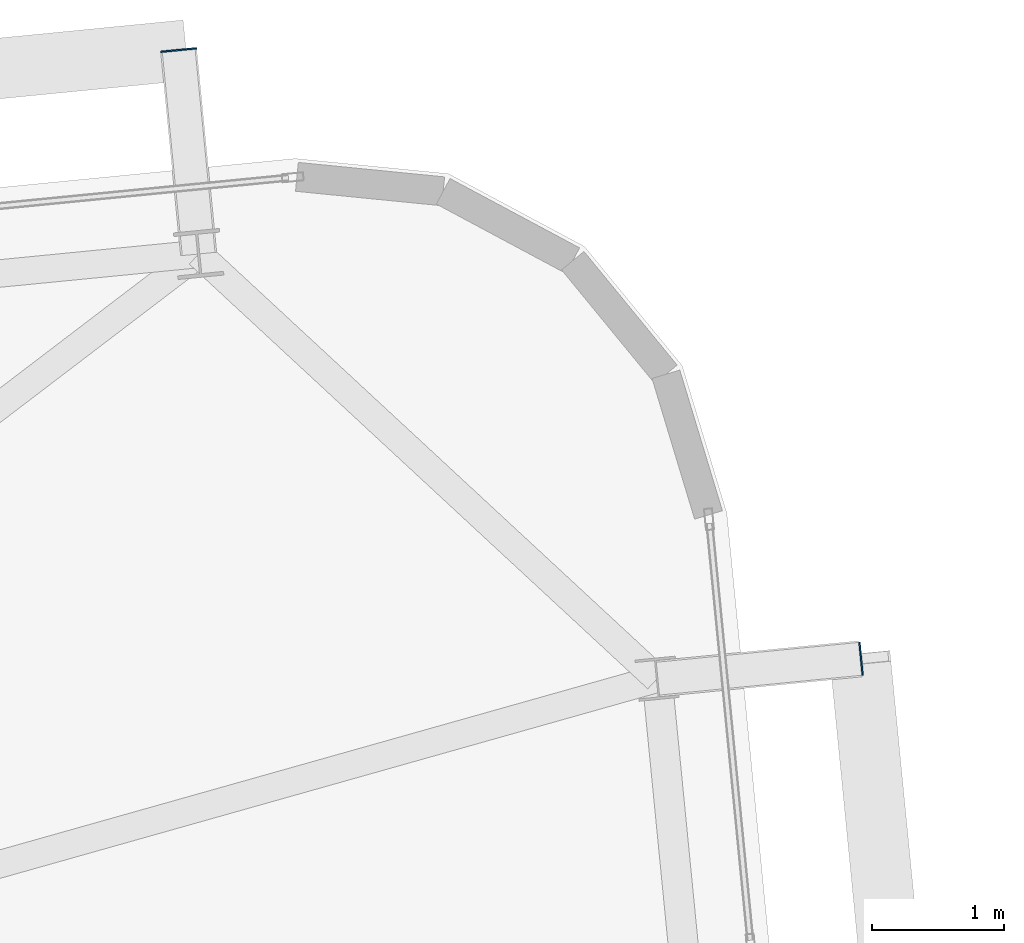
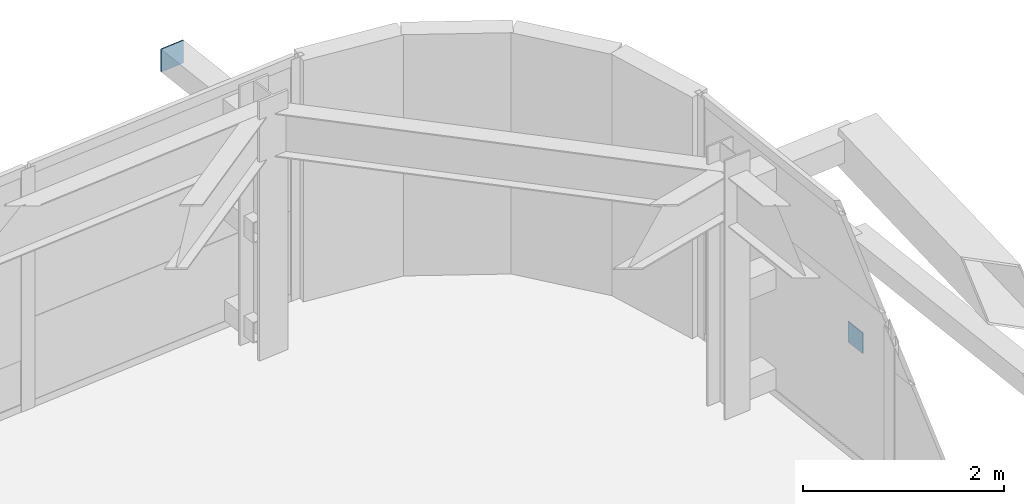
# One storey, part 45 of 52: 2 plates.
"""IFC4 building model written with IfcOpenShell, lengths in metres."""

from ifc_helpers import new_model, si_unit, direction, frame, origin, origin_2d, place, context, subcontext, project, spatial, rectangle, extrude, source, transform, mapped, material, layer, layer_set, type_object, element, save


model = new_model("IFC4")

# Units and contexts
model_context = context("Model", 3, precision=1e-05, world=origin(), true_north=direction((0.0, 1.0)))
body_context = subcontext(model_context, "Body", "Model", "MODEL_VIEW")
ifc_project = project(units=[si_unit("LENGTHUNIT", "METRE"), si_unit("AREAUNIT", "SQUARE_METRE"), si_unit("VOLUMEUNIT", "CUBIC_METRE"), si_unit("PLANEANGLEUNIT", "RADIAN"), si_unit("MASSUNIT", "GRAM", prefix="KILO")], contexts=[model_context])

# Site, building, storey
site_placement = place(None, origin())
site = spatial("IfcSite", under=ifc_project, at=site_placement, CompositionType="ELEMENT")
building_placement = place(site_placement, origin())
building = spatial("IfcBuilding", under=site, at=building_placement, Name="Taldren Reach Tower", CompositionType="ELEMENT")
storey_placement = place(building_placement, frame((0.0, 0.0, 96.60009765625)))
storey = spatial("IfcBuildingStorey", under=building, at=storey_placement, Name="L29", CompositionType="ELEMENT", Elevation=96.60009765625)

# Plates
ifc_material_1 = material(Name="Steel Gr 450 (C450L0)", Category="steel")
ifc_layer_1 = layer(ifc_material_1, 0.011962890625)
ifc_layer_set_1 = layer_set([ifc_layer_1], Name="Steel Gr 450 (C450L0)")
plate_type_1 = type_object("IfcPlateType", Name="PL-CAP-275", PredefinedType="SHEET", material=ifc_layer_set_1)
shared_shape_1 = source(origin(), body_context, "Body", "SweptSolid", [
    extrude(rectangle(XDim=0.27490234375, YDim=0.011962890625, at=origin_2d()), origin(), (0.0, 0.0, 1.0), 0.27490234375),
])
plate_1_placement = place(storey_placement, frame((59.614013671875, 40.228515625, 2.512451171875), z_axis=(0.0, 0.0, 1.0), x_axis=(0.995227399982, 0.097582899759, 0.0)))
element("IfcPlate", 1, at=plate_1_placement, inside=storey, type_object=plate_type_1, Name="Tie strut end cap plate B2-N6 L29", PredefinedType="SHEET", context=body_context, shape_type="MappedRepresentation", body=[
    mapped(shared_shape_1, transform((0.0, 0.0, 0.0), scale=1.0)),
])
ifc_material_2 = material(Name="Steel Gr 350 (C350L0)", Category="steel")
ifc_layer_2 = layer(ifc_material_2, 0.011962890625)
ifc_layer_set_2 = layer_set([ifc_layer_2], Name="Steel Gr 350 (C350L0)")
plate_type_2 = type_object("IfcPlateType", Name="PL-CAP-250", PredefinedType="SHEET", material=ifc_layer_set_2)
shared_shape_2 = source(origin(), body_context, "Body", "SweptSolid", [
    extrude(rectangle(XDim=0.011962890625, YDim=0.25, at=origin_2d()), origin(), (0.0, 0.0, 1.0), 0.25),
])
plate_2_placement = place(storey_placement, frame((64.7958984375, 35.60595703125, 0.094970703125), z_axis=(0.0, 0.0, 1.0), x_axis=(0.995227399982, 0.097582899759, 0.0)))
element("IfcPlate", 2, at=plate_2_placement, inside=storey, type_object=plate_type_2, Name="Tie strut end cap plate B2-E3 L29", PredefinedType="SHEET", context=body_context, shape_type="MappedRepresentation", body=[
    mapped(shared_shape_2, transform((0.0, 0.0, 0.0), scale=1.0)),
])

save(model, "model.ifc")
